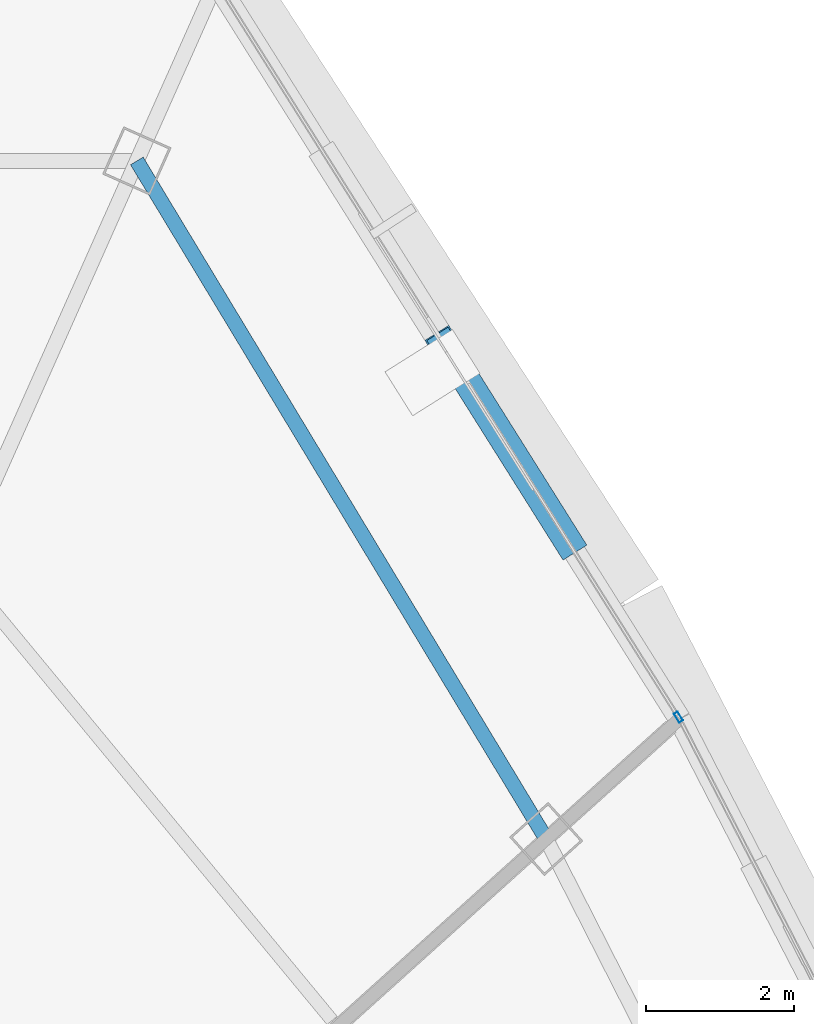
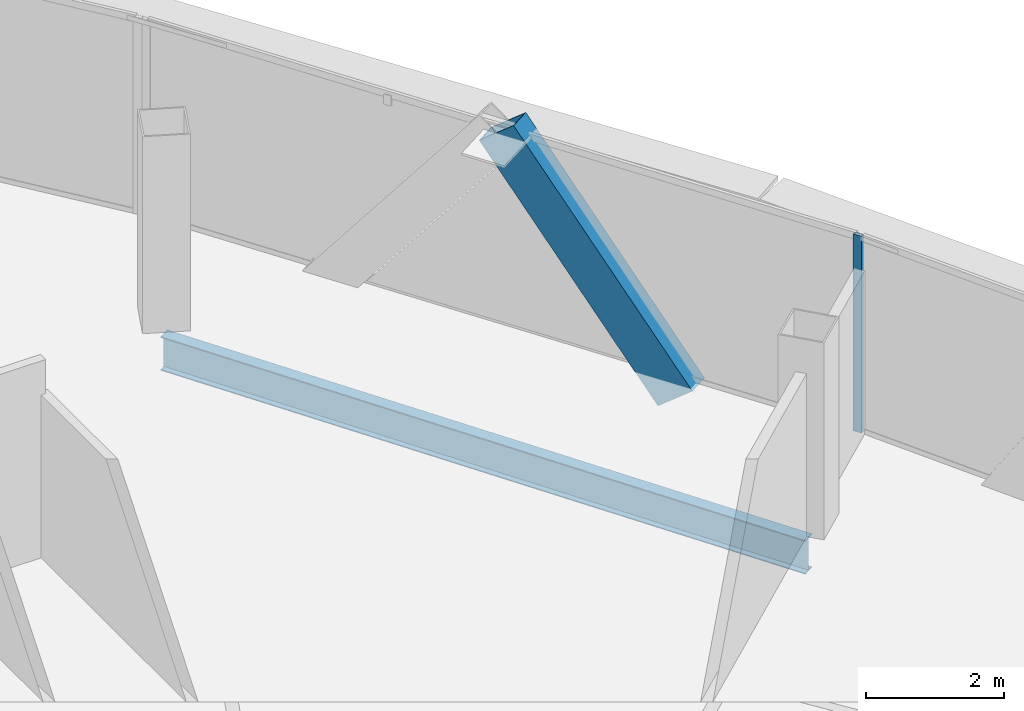
# One storey, part 15 of 30: 2 members, 1 beam, 1 element without a shape of its own.
"""IFC4 building model written with IfcOpenShell, lengths in metres."""

from ifc_helpers import new_model, si_unit, direction, frame, origin, origin_2d, place, context, subcontext, project, spatial, hollow_rectangle, i_section, extrude, source, transform, mapped, material, layer, layer_set, material_profile, profile_set, type_object, element, aggregate, save


model = new_model("IFC4")

# Units and contexts
model_context = context("Model", 3, precision=1e-05, world=origin(), true_north=direction((0.0, 1.0)))
body_context = subcontext(model_context, "Body", "Model", "MODEL_VIEW")
ifc_project = project(units=[si_unit("LENGTHUNIT", "METRE"), si_unit("AREAUNIT", "SQUARE_METRE"), si_unit("VOLUMEUNIT", "CUBIC_METRE"), si_unit("PLANEANGLEUNIT", "RADIAN"), si_unit("MASSUNIT", "GRAM", prefix="KILO"), si_unit("THERMODYNAMICTEMPERATUREUNIT", "KELVIN"), si_unit("POWERUNIT", "WATT")], contexts=[model_context])

# Site, building, storey
site_placement = place(None, origin())
site = spatial("IfcSite", under=ifc_project, at=site_placement, CompositionType="ELEMENT")
building_placement = place(site_placement, origin())
building = spatial("IfcBuilding", under=site, at=building_placement, Name="Yunzhuo Pagoda Commons", CompositionType="ELEMENT")
storey_placement = place(building_placement, frame((0.0, 0.0, 355.510009765625)))
storey = spatial("IfcBuildingStorey", under=building, at=storey_placement, Name="L89", CompositionType="ELEMENT", Elevation=355.510009765625)

# Beam
ifc_material_1 = material(Name="Structural steel Q355B", Category="steel")
ifc_material_profile_1 = material_profile(ifc_material_1, i_section(OverallWidth=0.199951171875, OverallDepth=0.60009765625, WebThickness=0.010986328125, FlangeThickness=0.01708984375, at=origin_2d()), Name="Structural steel Q355B")
ifc_profile_set_1 = profile_set([ifc_material_profile_1], Name="Structural steel Q355B")
beam_type = type_object("IfcBeamType", Name="B-RG3 Beam HN 600x200x11x17", PredefinedType="BEAM", material=ifc_profile_set_1)
shared_shape_1 = source(origin(), body_context, "Body", "SweptSolid", [
    extrude(i_section(OverallWidth=0.199951171875, OverallDepth=0.60009765625, WebThickness=0.010986328125, FlangeThickness=0.01708984375, at=origin_2d()), origin(), (0.0, 0.0, 1.0), 10.691162109375),
])
beam_placement = place(storey_placement, frame((64.024658203125, 48.128662109375, -0.56005859375), z_axis=(-0.516864678433, 0.856067114301, 0.0), x_axis=(-0.856067114301, -0.516864678433, 0.0)))
element("IfcBeam", 1, at=beam_placement, inside=storey, type_object=beam_type, Name="L89 column-ring beam 7", PredefinedType="BEAM", context=body_context, shape_type="MappedRepresentation", body=[
    mapped(shared_shape_1, transform((0.0, 0.0, 0.0), scale=1.0)),
])

# Member
ifc_material_profile_2 = material_profile(ifc_material_1, hollow_rectangle(XDim=0.3798828125, YDim=0.719970703125, WallThickness=0.02001953125, at=origin_2d()), Name="Structural steel Q355B")
ifc_profile_set_2 = profile_set([ifc_material_profile_2], Name="Structural steel Q355B")
member_type_1 = type_object("IfcMemberType", Name="M-DL3 Brace BOX 720x380x20", PredefinedType="BRACE", material=ifc_profile_set_2)
shared_shape_2 = source(origin(), body_context, "Body", "SweptSolid", [
    extrude(hollow_rectangle(XDim=0.3798828125, YDim=0.719970703125, WallThickness=0.02001953125, at=origin_2d()), origin(), (0.0, 0.0, 1.0), 4.7626953125),
])
member_1_placement = place(storey_placement, frame((64.261474609375, 52.23486328125, -0.260009765625), z_axis=(-0.328170512909, 0.521884409861, 0.787363179988), x_axis=(-0.846542342318, -0.532321390386, 0.0)))
element("IfcMember", 2, at=member_1_placement, inside=storey, type_object=member_type_1, Name="L89 facade diamond brace F2.3L", PredefinedType="BRACE", context=body_context, shape_type="MappedRepresentation", body=[
    mapped(shared_shape_2, transform((0.0, 0.0, 0.0), scale=1.0)),
])

# Curtain wall, member
ifc_material_2 = material(Name="Anodized aluminium 6063-T6", Category="aluminium")
ifc_layer = layer(ifc_material_2, 0.139892578125)
ifc_layer_set = layer_set([ifc_layer], Name="Anodized aluminium 6063-T6")
curtain_wall_type = type_object("IfcCurtainWallType", Name="CW-HI High-Zone Ribbon Curtain Wall", PredefinedType="NOTDEFINED", material=ifc_layer_set)
curtain_wall_placement = place(storey_placement, origin())
curtain_wall = element("IfcCurtainWall", 3, at=curtain_wall_placement, inside=storey, type_object=curtain_wall_type, Name="L89 curtain wall CW-L89-F2B4", PredefinedType="NOTDEFINED")
ifc_material_profile_3 = material_profile(ifc_material_2, hollow_rectangle(XDim=0.06005859375, YDim=0.139892578125, WallThickness=0.00341796875, at=origin_2d()), Name="Anodized aluminium 6063-T6")
ifc_profile_set_3 = profile_set([ifc_material_profile_3], Name="Anodized aluminium 6063-T6")
member_type_2 = type_object("IfcMemberType", Name="CW-HI-M Mullion RHS 140x60x3.5", PredefinedType="MULLION", material=ifc_profile_set_3)
shared_shape_3 = source(origin(), body_context, "Body", "SweptSolid", [
    extrude(hollow_rectangle(XDim=0.06005859375, YDim=0.139892578125, WallThickness=0.00341796875, at=origin_2d()), origin(), (0.0, 0.0, 1.0), 3.489990234375),
])
member_2_placement = place(storey_placement, frame((65.80859375, 49.774658203125, 0.0), z_axis=(0.0, 0.0, 1.0), x_axis=(-0.846524621891, -0.532349569861, 0.0)))
member_2 = element("IfcMember", 4, at=member_2_placement, type_object=member_type_2, Name="CW mullion 1", PredefinedType="MULLION", context=body_context, shape_type="MappedRepresentation", body=[
    mapped(shared_shape_3, transform((0.0, 0.0, 0.0), scale=1.0)),
])
aggregate(curtain_wall, [member_2])

save(model, "model.ifc")
